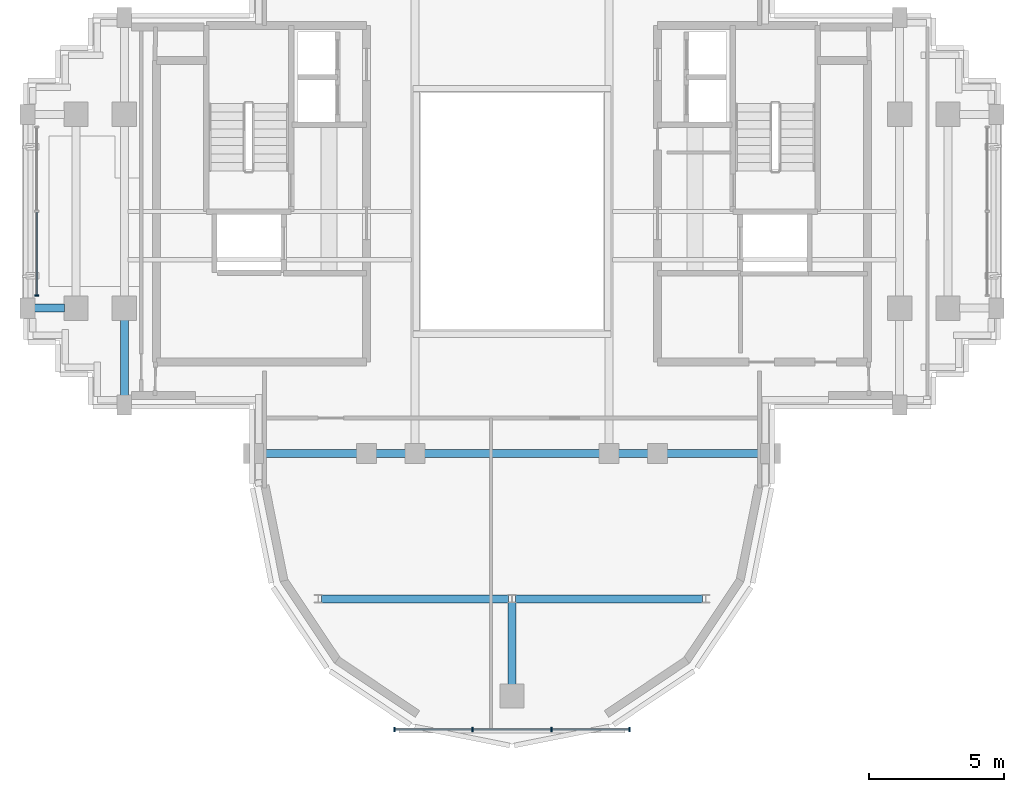
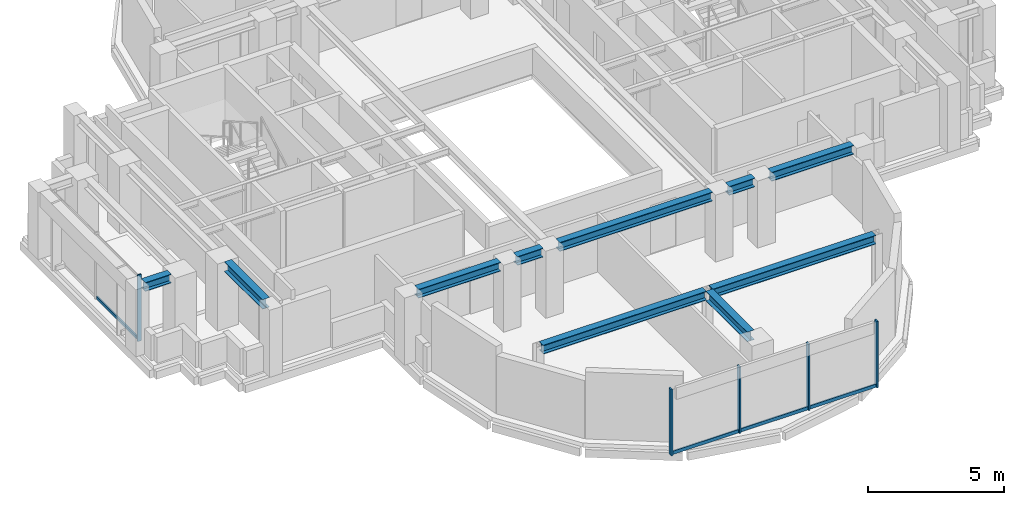
# One storey, part 3 of 12: 10 beams, 9 members, 2 elements without a shape of their own.
"""IFC4 building model written with IfcOpenShell, lengths in metres."""

from ifc_helpers import new_model, si_unit, direction, frame, origin, origin_2d, place, context, subcontext, project, spatial, rectangle, i_section, extrude, source, transform, mapped, material, material_profile, profile_set, type_object, element, aggregate, save


model = new_model("IFC4")

# Units and contexts
model_context = context("Model", 3, precision=1e-05, world=origin(), true_north=direction((0.0, 1.0)))
body_context = subcontext(model_context, "Body", "Model", "MODEL_VIEW")
ifc_project = project(units=[si_unit("LENGTHUNIT", "METRE"), si_unit("AREAUNIT", "SQUARE_METRE"), si_unit("VOLUMEUNIT", "CUBIC_METRE"), si_unit("PLANEANGLEUNIT", "RADIAN"), si_unit("MASSUNIT", "GRAM", prefix="KILO")], contexts=[model_context])

# Site, building, storey
site_placement = place(None, origin())
site = spatial("IfcSite", under=ifc_project, at=site_placement, CompositionType="ELEMENT")
building_placement = place(site_placement, origin())
building = spatial("IfcBuilding", under=site, at=building_placement, Name="Keilestroom Media Tower", CompositionType="ELEMENT")
storey_placement = place(building_placement, frame((0.0, 0.0, 233.199951171875)))
storey = spatial("IfcBuildingStorey", under=building, at=storey_placement, Name="L64", CompositionType="ELEMENT", Elevation=233.199951171875)

# Beams
ifc_material_1 = material(Name="Steel S355", Category="steel")
ifc_material_profile_1 = material_profile(ifc_material_1, i_section(OverallWidth=0.300048828125, OverallDepth=0.39990234375, WebThickness=0.011474609375, FlangeThickness=0.02392578125, at=origin_2d()), Name="HEB 400")
ifc_profile_set_1 = profile_set([ifc_material_profile_1], Name="Steel S355")
beam_type_1 = type_object("IfcBeamType", Name="Primary-Structural-Girder-HEB-400", PredefinedType="BEAM", material=ifc_profile_set_1)
shared_shape_1 = source(origin(), body_context, "Body", "SweptSolid", [
    extrude(i_section(OverallWidth=0.300048828125, OverallDepth=0.39990234375, WebThickness=0.011474609375, FlangeThickness=0.02392578125, at=origin_2d()), origin(), (0.0, 0.0, 1.0), 6.940185546875),
])
for number, where, z_axis, x_axis, name in (
    (1, (-7.070068359375, -14.39990234375, 2.81005859375), (1.0, 0.0, 0.0), (0.0, 1.0, 0.0), "L64 Beam BG-8 BM-L64-EW-001"),
    (2, (0.1298828125, -14.39990234375, 2.81005859375), (1.0, 0.0, 0.0), (0.0, 1.0, 0.0), "L64 Beam BG-8 BM-L64-EW-002"),
):
    element("IfcBeam", number, at=place(storey_placement, frame(where, z_axis=z_axis, x_axis=x_axis)), inside=storey, type_object=beam_type_1, Name=name, PredefinedType="BEAM", context=body_context, shape_type="MappedRepresentation", body=[
        mapped(shared_shape_1, transform((0.0, 0.0, 0.0), x_axis=(1.0, 0.0, 0.0), y_axis=(0.0, 1.0, 0.0), z_axis=(0.0, 0.0, 1.0), scale=1.0)),
    ])
shared_shape_2 = source(origin(), body_context, "Body", "SweptSolid", [
    extrude(i_section(OverallWidth=0.300048828125, OverallDepth=0.39990234375, WebThickness=0.011474609375, FlangeThickness=0.02392578125, at=origin_2d()), origin(), (0.0, 0.0, 1.0), 3.490234375),
])
for number, where, z_axis, x_axis, name in (
    (3, (-9.2451171875, -9.0, 2.81005859375), (1.0, 0.0, 0.0), (0.0, 1.0, 0.0), "L64 Beam BG-8 BM-L64-EW-003"),
    (4, (5.7548828125, -9.0, 2.81005859375), (1.0, 0.0, 0.0), (0.0, 1.0, 0.0), "L64 Beam BG-8 BM-L64-EW-007"),
):
    element("IfcBeam", number, at=place(storey_placement, frame(where, z_axis=z_axis, x_axis=x_axis)), inside=storey, type_object=beam_type_1, Name=name, PredefinedType="BEAM", context=body_context, shape_type="MappedRepresentation", body=[
        mapped(shared_shape_2, transform((0.0, 0.0, 0.0), x_axis=(1.0, 0.0, 0.0), y_axis=(0.0, 1.0, 0.0), z_axis=(0.0, 0.0, 1.0), scale=1.0)),
    ])
shared_shape_3 = source(origin(), body_context, "Body", "SweptSolid", [
    extrude(i_section(OverallWidth=0.300048828125, OverallDepth=0.39990234375, WebThickness=0.011474609375, FlangeThickness=0.02392578125, at=origin_2d()), origin(), (0.0, 0.0, 1.0), 1.08984375),
])
for number, where, z_axis, x_axis, name in (
    (5, (-5.044921875, -9.0, 2.81005859375), (1.0, 0.0, 0.0), (0.0, 1.0, 0.0), "L64 Beam BG-8 BM-L64-EW-004"),
    (6, (3.955078125, -9.0, 2.81005859375), (1.0, 0.0, 0.0), (0.0, 1.0, 0.0), "L64 Beam BG-8 BM-L64-EW-006"),
):
    element("IfcBeam", number, at=place(storey_placement, frame(where, z_axis=z_axis, x_axis=x_axis)), inside=storey, type_object=beam_type_1, Name=name, PredefinedType="BEAM", context=body_context, shape_type="MappedRepresentation", body=[
        mapped(shared_shape_3, transform((0.0, 0.0, 0.0), x_axis=(1.0, 0.0, 0.0), y_axis=(0.0, 1.0, 0.0), z_axis=(0.0, 0.0, 1.0), scale=1.0)),
    ])
shared_shape_4 = source(origin(), body_context, "Body", "SweptSolid", [
    extrude(i_section(OverallWidth=0.300048828125, OverallDepth=0.39990234375, WebThickness=0.011474609375, FlangeThickness=0.02392578125, at=origin_2d()), origin(), (0.0, 0.0, 1.0), 6.490234375),
])
beam_1_placement = place(storey_placement, frame((-3.2451171875, -9.0, 2.81005859375), z_axis=(1.0, 0.0, 0.0), x_axis=(0.0, 1.0, 0.0)))
element("IfcBeam", 7, at=beam_1_placement, inside=storey, type_object=beam_type_1, Name="L64 Beam BG-8 BM-L64-EW-005", PredefinedType="BEAM", context=body_context, shape_type="MappedRepresentation", body=[
    mapped(shared_shape_4, transform((0.0, 0.0, 0.0), x_axis=(1.0, 0.0, 0.0), y_axis=(0.0, 1.0, 0.0), z_axis=(0.0, 0.0, 1.0), scale=1.0)),
])
shared_shape_5 = source(origin(), body_context, "Body", "SweptSolid", [
    extrude(i_section(OverallWidth=0.300048828125, OverallDepth=0.39990234375, WebThickness=0.011474609375, FlangeThickness=0.02392578125, at=origin_2d()), origin(), (0.0, 0.0, 1.0), 1.115234375),
])
beam_2_placement = place(storey_placement, frame((-17.7451171875, -3.60009765625, 2.81005859375), z_axis=(1.0, 0.0, 0.0), x_axis=(0.0, 1.0, 0.0)))
element("IfcBeam", 8, at=beam_2_placement, inside=storey, type_object=beam_type_1, Name="L64 Beam BG-8 BM-L64-EW-008", PredefinedType="BEAM", context=body_context, shape_type="MappedRepresentation", body=[
    mapped(shared_shape_5, transform((0.0, 0.0, 0.0), x_axis=(1.0, 0.0, 0.0), y_axis=(0.0, 1.0, 0.0), z_axis=(0.0, 0.0, 1.0), scale=1.0)),
])
ifc_material_profile_2 = material_profile(ifc_material_1, i_section(OverallWidth=0.300048828125, OverallDepth=0.43994140625, WebThickness=0.011474609375, FlangeThickness=0.02099609375, at=origin_2d()), Name="HEA 450")
ifc_profile_set_2 = profile_set([ifc_material_profile_2], Name="Steel S355")
beam_type_2 = type_object("IfcBeamType", Name="Primary-Structural-Girder-HEA-450", PredefinedType="BEAM", material=ifc_profile_set_2)
shared_shape_6 = source(origin(), body_context, "Body", "SweptSolid", [
    extrude(i_section(OverallWidth=0.300048828125, OverallDepth=0.43994140625, WebThickness=0.011474609375, FlangeThickness=0.02099609375, at=origin_2d()), origin(), (0.0, 0.0, 1.0), 2.81494140625),
])
beam_3_placement = place(storey_placement, frame((-14.39990234375, -6.844970703125, 2.7900390625), z_axis=(0.0, 1.0, 0.0), x_axis=(-1.0, 0.0, 0.0)))
element("IfcBeam", 9, at=beam_3_placement, inside=storey, type_object=beam_type_2, Name="L64 Beam BG-11 BM-L64-NS-027", PredefinedType="BEAM", context=body_context, shape_type="MappedRepresentation", body=[
    mapped(shared_shape_6, transform((0.0, 0.0, 0.0), x_axis=(1.0, 0.0, 0.0), y_axis=(0.0, 1.0, 0.0), z_axis=(0.0, 0.0, 1.0), scale=1.0)),
])
shared_shape_7 = source(origin(), body_context, "Body", "SweptSolid", [
    extrude(i_section(OverallWidth=0.300048828125, OverallDepth=0.43994140625, WebThickness=0.011474609375, FlangeThickness=0.02099609375, at=origin_2d()), origin(), (0.0, 0.0, 1.0), 3.0400390625),
])
beam_4_placement = place(storey_placement, frame((0.0, -17.570068359375, 2.7900390625), z_axis=(0.0, 1.0, 0.0), x_axis=(-1.0, 0.0, 0.0)))
element("IfcBeam", 10, at=beam_4_placement, inside=storey, type_object=beam_type_2, Name="L64 Beam BG-11 BM-L64-NS-034", PredefinedType="BEAM", context=body_context, shape_type="MappedRepresentation", body=[
    mapped(shared_shape_7, transform((0.0, 0.0, 0.0), x_axis=(1.0, 0.0, 0.0), y_axis=(0.0, 1.0, 0.0), z_axis=(0.0, 0.0, 1.0), scale=1.0)),
])

# Curtain wall, members
ifc_material_2 = material(Name="Anodised Aluminium Alloy", Category="aluminium")
curtain_wall_type_1 = type_object("IfcCurtainWallType", Name="Unitised-Curtain-Wall-CW-6", PredefinedType="NOTDEFINED", material=ifc_material_2)
curtain_wall_1_placement = place(storey_placement, origin())
curtain_wall_1 = element("IfcCurtainWall", 11, at=curtain_wall_1_placement, inside=storey, type_object=curtain_wall_type_1, Name="L64 Curtain Wall CW-6 CW-L64-LS-1", PredefinedType="NOTDEFINED")
ifc_material_profile_3 = material_profile(ifc_material_2, rectangle(XDim=0.06494140625, YDim=0.179931640625, at=origin_2d()), Name="ALU MULLION 65x180")
ifc_profile_set_3 = profile_set([ifc_material_profile_3], Name="Anodised Aluminium Alloy")
member_type_1 = type_object("IfcMemberType", Name="Curtain-Wall-Mullion-CW-6", PredefinedType="MULLION", material=ifc_profile_set_3)
shared_shape_8 = source(origin(), body_context, "Body", "SweptSolid", [
    extrude(rectangle(XDim=0.06494140625, YDim=0.179931640625, at=origin_2d()), origin(), (0.0, 0.0, 1.0), 2.97998046875),
])
member_1_placement = place(storey_placement, frame((-4.367431640625, -19.25, 0.0), z_axis=(0.0, 0.0, 1.0), x_axis=(1.0, 0.0, 0.0)))
member_1 = element("IfcMember", 12, at=member_1_placement, type_object=member_type_1, Name="CW-6 Mullion 00", PredefinedType="MULLION", context=body_context, shape_type="MappedRepresentation", body=[
    mapped(shared_shape_8, transform((0.0, 0.0, 0.0), x_axis=(1.0, 0.0, 0.0), y_axis=(0.0, 1.0, 0.0), z_axis=(0.0, 0.0, 1.0), scale=1.0)),
])
member_2_placement = place(storey_placement, frame((-1.466796875, -19.25, 0.0), z_axis=(0.0, 0.0, 1.0), x_axis=(1.0, 0.0, 0.0)))
member_2 = element("IfcMember", 13, at=member_2_placement, type_object=member_type_1, Name="CW-6 Mullion 01", PredefinedType="MULLION", context=body_context, shape_type="MappedRepresentation", body=[
    mapped(shared_shape_8, transform((0.0, 0.0, 0.0), x_axis=(1.0, 0.0, 0.0), y_axis=(0.0, 1.0, 0.0), z_axis=(0.0, 0.0, 1.0), scale=1.0)),
])
member_3_placement = place(storey_placement, frame((1.466796875, -19.25, 0.0), z_axis=(0.0, 0.0, 1.0), x_axis=(1.0, 0.0, 0.0)))
member_3 = element("IfcMember", 14, at=member_3_placement, type_object=member_type_1, Name="CW-6 Mullion 02", PredefinedType="MULLION", context=body_context, shape_type="MappedRepresentation", body=[
    mapped(shared_shape_8, transform((0.0, 0.0, 0.0), x_axis=(1.0, 0.0, 0.0), y_axis=(0.0, 1.0, 0.0), z_axis=(0.0, 0.0, 1.0), scale=1.0)),
])
member_4_placement = place(storey_placement, frame((4.367431640625, -19.25, 0.0), z_axis=(0.0, 0.0, 1.0), x_axis=(1.0, 0.0, 0.0)))
member_4 = element("IfcMember", 15, at=member_4_placement, type_object=member_type_1, Name="CW-6 Mullion 03", PredefinedType="MULLION", context=body_context, shape_type="MappedRepresentation", body=[
    mapped(shared_shape_8, transform((0.0, 0.0, 0.0), x_axis=(1.0, 0.0, 0.0), y_axis=(0.0, 1.0, 0.0), z_axis=(0.0, 0.0, 1.0), scale=1.0)),
])
ifc_material_profile_4 = material_profile(ifc_material_2, rectangle(XDim=0.06494140625, YDim=0.14990234375, at=origin_2d()), Name="ALU TRANSOM 65x150")
ifc_profile_set_4 = profile_set([ifc_material_profile_4], Name="Anodised Aluminium Alloy")
member_type_2 = type_object("IfcMemberType", Name="Curtain-Wall-Transom-CW-6", PredefinedType="USERDEFINED", material=ifc_profile_set_4)
shared_shape_9 = source(origin(), body_context, "Body", "SweptSolid", [
    extrude(rectangle(XDim=0.06494140625, YDim=0.14990234375, at=origin_2d()), origin(), (0.0, 0.0, 1.0), 2.839599609375),
])
member_5_placement = place(storey_placement, frame((-4.3369140625, -19.25, 0.074951171875), z_axis=(1.0, 0.0, 0.0), x_axis=(0.0, 1.0, 0.0)))
member_5 = element("IfcMember", 16, at=member_5_placement, type_object=member_type_2, Name="CW-6 Transom 00.1", ObjectType="TRANSOM", PredefinedType="USERDEFINED", context=body_context, shape_type="MappedRepresentation", body=[
    mapped(shared_shape_9, transform((0.0, 0.0, 0.0), x_axis=(1.0, 0.0, 0.0), y_axis=(0.0, 1.0, 0.0), z_axis=(0.0, 0.0, 1.0), scale=1.0)),
])
member_6_placement = place(storey_placement, frame((1.497314453125, -19.25, 0.074951171875), z_axis=(1.0, 0.0, 0.0), x_axis=(0.0, 1.0, 0.0)))
member_6 = element("IfcMember", 17, at=member_6_placement, type_object=member_type_2, Name="CW-6 Transom 02.1", ObjectType="TRANSOM", PredefinedType="USERDEFINED", context=body_context, shape_type="MappedRepresentation", body=[
    mapped(shared_shape_9, transform((0.0, 0.0, 0.0), x_axis=(1.0, 0.0, 0.0), y_axis=(0.0, 1.0, 0.0), z_axis=(0.0, 0.0, 1.0), scale=1.0)),
])
shared_shape_10 = source(origin(), body_context, "Body", "SweptSolid", [
    extrude(rectangle(XDim=0.06494140625, YDim=0.14990234375, at=origin_2d()), origin(), (0.0, 0.0, 1.0), 2.87255859375),
])
member_7_placement = place(storey_placement, frame((-1.436279296875, -19.25, 0.074951171875), z_axis=(1.0, 0.0, 0.0), x_axis=(0.0, 1.0, 0.0)))
member_7 = element("IfcMember", 18, at=member_7_placement, type_object=member_type_2, Name="CW-6 Transom 01.1", ObjectType="TRANSOM", PredefinedType="USERDEFINED", context=body_context, shape_type="MappedRepresentation", body=[
    mapped(shared_shape_10, transform((0.0, 0.0, 0.0), x_axis=(1.0, 0.0, 0.0), y_axis=(0.0, 1.0, 0.0), z_axis=(0.0, 0.0, 1.0), scale=1.0)),
])
aggregate(curtain_wall_1, [member_1, member_2, member_3, member_4, member_5, member_7, member_6])

curtain_wall_type_2 = type_object("IfcCurtainWallType", Name="Unitised-Curtain-Wall-CW-4", PredefinedType="NOTDEFINED", material=ifc_material_2)
curtain_wall_2_placement = place(storey_placement, origin())
curtain_wall_2 = element("IfcCurtainWall", 19, at=curtain_wall_2_placement, inside=storey, type_object=curtain_wall_type_2, Name="L64 Curtain Wall CW-4 CW-L64-W-1", PredefinedType="NOTDEFINED")
ifc_material_profile_5 = material_profile(ifc_material_2, rectangle(XDim=0.06005859375, YDim=0.159912109375, at=origin_2d()), Name="ALU MULLION 60x160")
ifc_profile_set_5 = profile_set([ifc_material_profile_5], Name="Anodised Aluminium Alloy")
member_type_3 = type_object("IfcMemberType", Name="Curtain-Wall-Mullion-CW-4", PredefinedType="MULLION", material=ifc_profile_set_5)
shared_shape_11 = source(origin(), body_context, "Body", "SweptSolid", [
    extrude(rectangle(XDim=0.06005859375, YDim=0.159912109375, at=origin_2d()), origin(), (0.0, 0.0, 1.0), 2.97998046875),
])
member_8_placement = place(storey_placement, frame((-17.64990234375, -3.135009765625, 0.0), z_axis=(0.0, 0.0, 1.0), x_axis=(0.0, 1.0, 0.0)))
member_8 = element("IfcMember", 20, at=member_8_placement, type_object=member_type_3, Name="CW-4 Mullion 00", PredefinedType="MULLION", context=body_context, shape_type="MappedRepresentation", body=[
    mapped(shared_shape_11, transform((0.0, 0.0, 0.0), x_axis=(1.0, 0.0, 0.0), y_axis=(0.0, 1.0, 0.0), z_axis=(0.0, 0.0, 1.0), scale=1.0)),
])
ifc_material_profile_6 = material_profile(ifc_material_2, rectangle(XDim=0.06005859375, YDim=0.1298828125, at=origin_2d()), Name="ALU TRANSOM 60x130")
ifc_profile_set_6 = profile_set([ifc_material_profile_6], Name="Anodised Aluminium Alloy")
member_type_4 = type_object("IfcMemberType", Name="Curtain-Wall-Transom-CW-4", PredefinedType="USERDEFINED", material=ifc_profile_set_6)
shared_shape_12 = source(origin(), body_context, "Body", "SweptSolid", [
    extrude(rectangle(XDim=0.06005859375, YDim=0.1298828125, at=origin_2d()), origin(), (0.0, 0.0, 1.0), 3.078857421875),
])
member_9_placement = place(storey_placement, frame((-17.64990234375, -3.10693359375, 0.06494140625), z_axis=(0.0, 1.0, 0.0), x_axis=(-1.0, 0.0, 0.0)))
member_9 = element("IfcMember", 21, at=member_9_placement, type_object=member_type_4, Name="CW-4 Transom 00.1", ObjectType="TRANSOM", PredefinedType="USERDEFINED", context=body_context, shape_type="MappedRepresentation", body=[
    mapped(shared_shape_12, transform((0.0, 0.0, 0.0), x_axis=(1.0, 0.0, 0.0), y_axis=(0.0, 1.0, 0.0), z_axis=(0.0, 0.0, 1.0), scale=1.0)),
])
aggregate(curtain_wall_2, [member_8, member_9])

save(model, "model.ifc")
